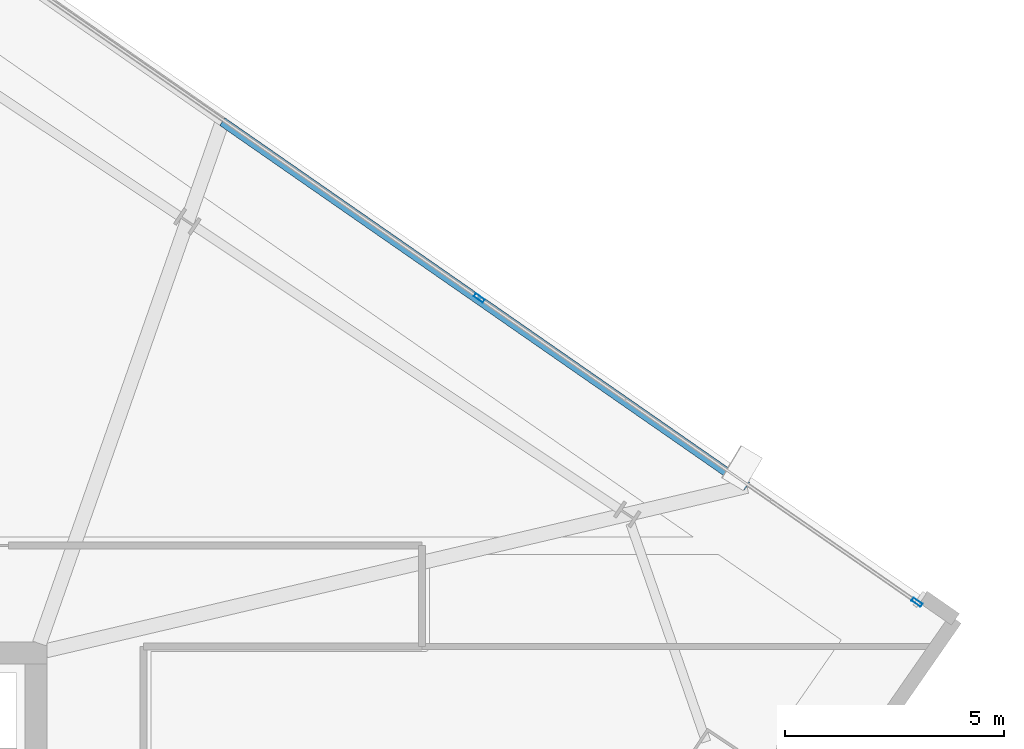
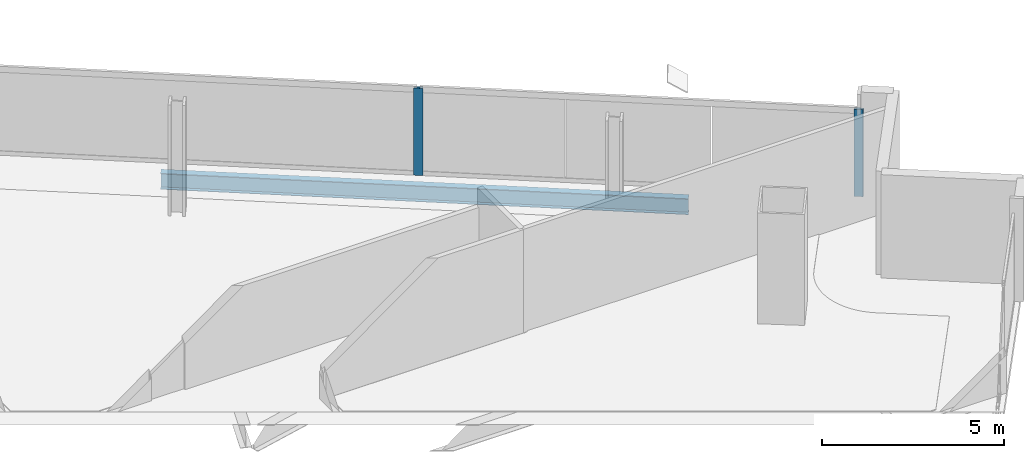
# One storey, part 19 of 30: 2 members, 1 beam, 1 element without a shape of its own.
"""IFC4 building model written with IfcOpenShell, lengths in metres."""

import ifcopenshell
import ifcopenshell.guid

model = None  # the IFC model being written
_history = None  # IfcOwnerHistory: only IFC2X3 demands one
_inside = {}  # id of a spatial element -> (the spatial element, [elements in it])
_under = {}  # id of a project, library or spatial element -> (it, [spatial elements below it])
_declared = {}  # id of a project -> (the project, [libraries it declares])
_typed = {}  # id of a type object -> (the type object, [elements of that type])
_made_of = {}  # id of a material, layer set ... -> (it, [elements and type objects made of it])


def new_model(schema):
    """Start an empty IFC model of exactly this schema.

    Asked for "IFC4X3", IfcOpenShell would pick the latest addendum, in which some entities
    have other attributes; the version numbers below select the first issue.
    IFC2X3 requires an IfcOwnerHistory on every rooted entity: one is made here for all.
    """
    global model, _history
    if schema == "IFC4X3":
        model = ifcopenshell.file(schema_version=(4, 3, 0, 0))
    else:
        model = ifcopenshell.file(schema=schema)
    _inside.clear()
    _under.clear()
    _declared.clear()
    _typed.clear()
    _made_of.clear()
    _history = None
    if model.schema == "IFC2X3":
        org = make("IfcOrganization", Name="unknown")
        user = make(
            "IfcPersonAndOrganization",
            ThePerson=make("IfcPerson", FamilyName="unknown"),
            TheOrganization=org,
        )
        app = make(
            "IfcApplication",
            ApplicationDeveloper=org,
            Version="unknown",
            ApplicationFullName="unknown",
            ApplicationIdentifier="unknown",
        )
        _history = make(
            "IfcOwnerHistory",
            OwningUser=user,
            OwningApplication=app,
            ChangeAction="ADDED",
            CreationDate=0,
        )
    return model


def make(cls, **values):
    """One entity of the class cls with the attributes given. An attribute that is None is left unset."""
    return model.create_entity(
        cls, **{name: value for name, value in values.items() if value is not None}
    )


def rooted(cls, **values):
    """An entity with a GlobalId (a new one), such as an element, a storey or a relation."""
    return make(cls, GlobalId=ifcopenshell.guid.new(), OwnerHistory=_history, **values)


def si_unit(unit_type, name, prefix=None):
    """IfcSIUnit, for example si_unit("LENGTHUNIT", "METRE", prefix="MILLI")."""
    return make("IfcSIUnit", UnitType=unit_type, Prefix=prefix, Name=name)


def assignment(units):
    """IfcUnitAssignment: the units of a project."""
    return None if units is None else make("IfcUnitAssignment", Units=units)


def point(xyz):
    """IfcCartesianPoint."""
    return None if xyz is None else make("IfcCartesianPoint", Coordinates=xyz)


def direction(xyz):
    """IfcDirection."""
    return None if xyz is None else make("IfcDirection", DirectionRatios=xyz)


def frame(location, z_axis=None, x_axis=None):
    """IfcAxis2Placement3D, a coordinate frame: its origin and axes. An axis left out is left unset."""
    return make(
        "IfcAxis2Placement3D",
        Location=point(location),
        Axis=direction(z_axis),
        RefDirection=direction(x_axis),
    )


def frame_2d(location, x_axis=None):
    """IfcAxis2Placement2D, a coordinate frame in the plane: its origin and x axis."""
    return make(
        "IfcAxis2Placement2D", Location=point(location), RefDirection=direction(x_axis)
    )


def origin():
    """The frame at (0, 0, 0) with its axes left unset."""
    return frame((0.0, 0.0, 0.0))


def origin_2d():
    """The frame at (0, 0) in the plane with its x axis left unset."""
    return frame_2d((0.0, 0.0))


def place(relative_to, where):
    """IfcLocalPlacement: puts the frame where relative to a parent placement (None: the world)."""
    return make(
        "IfcLocalPlacement", PlacementRelTo=relative_to, RelativePlacement=where
    )


def context(
    kind, dimensions, precision=None, world=None, true_north=None, identifier=None
):
    """IfcGeometricRepresentationContext, for example the 3D "Model" context."""
    return make(
        "IfcGeometricRepresentationContext",
        ContextIdentifier=identifier,
        ContextType=kind,
        CoordinateSpaceDimension=dimensions,
        Precision=precision,
        WorldCoordinateSystem=world,
        TrueNorth=true_north,
    )


def subcontext(parent, identifier, kind, view, scale=None):
    """IfcGeometricRepresentationSubContext, for example "Body" below "Model"."""
    return make(
        "IfcGeometricRepresentationSubContext",
        ContextIdentifier=identifier,
        ContextType=kind,
        ParentContext=parent,
        TargetScale=scale,
        TargetView=view,
    )


def project(units=None, contexts=None):
    """IfcProject with its units and contexts."""
    return rooted(
        "IfcProject",
        Name="project",
        RepresentationContexts=contexts,
        UnitsInContext=assignment(units),
    )


def spatial(cls, under=None, at=None, **own):
    """A site, building, storey or space (cls), placed at a placement, below another one or the project."""
    s = rooted(cls, ObjectPlacement=at, **own)
    if under is not None:
        _under.setdefault(under.id(), (under, []))[1].append(s)
    return s


def profile(cls, at=None, kind="AREA", **sizes):
    """A parametric profile (cls). Its sizes go by their IFC names, for example OverallWidth=200.0."""
    return make(cls, ProfileType=kind, Position=at, **sizes)


def hollow_rectangle(**sizes):
    """IfcRectangleHollowProfileDef."""
    return profile("IfcRectangleHollowProfileDef", **sizes)


def i_section(**sizes):
    """IfcIShapeProfileDef."""
    return profile("IfcIShapeProfileDef", **sizes)


def extrude(swept, where, along, depth):
    """IfcExtrudedAreaSolid: the profile swept, set in the frame where, extruded along a direction by depth."""
    return make(
        "IfcExtrudedAreaSolid",
        SweptArea=swept,
        Position=where,
        ExtrudedDirection=direction(along),
        Depth=depth,
    )


def shape(context_of_items, identifier, shape_type, items):
    """IfcShapeRepresentation: the items that make up one representation, for example the "Body"."""
    return make(
        "IfcShapeRepresentation",
        ContextOfItems=context_of_items,
        RepresentationIdentifier=identifier,
        RepresentationType=shape_type,
        Items=items,
    )


def material(Name=None, Category=None):
    """IfcMaterial."""
    return make("IfcMaterial", Name=Name, Category=Category)


def material_profile(
    of_material, cross_section, Name=None, Category=None, Priority=None
):
    """IfcMaterialProfile: a cross section and its material."""
    return make(
        "IfcMaterialProfile",
        Name=Name,
        Material=of_material,
        Profile=cross_section,
        Priority=Priority,
        Category=Category,
    )


def profile_set(profiles, Name=None, composite=None):
    """IfcMaterialProfileSet."""
    return make(
        "IfcMaterialProfileSet",
        Name=Name,
        MaterialProfiles=profiles,
        CompositeProfile=composite,
    )


def made_of(thing, what):
    """Note that an element or type object is made of a material, layer set ...; save() writes the relation."""
    if what is not None:
        _made_of.setdefault(what.id(), (what, []))[1].append(thing)
    return thing


def type_object(cls, material=None, **own):
    """A type object (cls), such as IfcWallType, which elements share."""
    return made_of(rooted(cls, **own), material)


def element(
    cls,
    number,
    at=None,
    inside=None,
    cuts=None,
    type_object=None,
    material=None,
    context=None,
    identifier="Body",
    shape_type=None,
    held_by="IfcProductDefinitionShape",
    body=None,
    shapes=None,
    **own,
):
    """One element of the class cls, such as IfcWall. Its Tag is "e" and its number.

    at: its placement. inside: the storey or other place that contains it. cuts: it is an
    opening in that element (IfcRelVoidsElement). A single representation is given by context,
    identifier, shape_type and body (its items); several are given by shapes. held_by: the class
    of the entity that holds the representations. save() writes the other relations.
    """
    e = rooted(cls, Tag="e%d" % number, ObjectPlacement=at, **own)
    if body is not None:
        shapes = [shape(context, identifier, shape_type, body)]
    if shapes is not None:
        e.Representation = make(held_by, Representations=shapes)
    if inside is not None:
        _inside.setdefault(inside.id(), (inside, []))[1].append(e)
    if cuts is not None:
        rooted(
            "IfcRelVoidsElement", RelatingBuildingElement=cuts, RelatedOpeningElement=e
        )
    if type_object is not None:
        _typed.setdefault(type_object.id(), (type_object, []))[1].append(e)
    return made_of(e, material)


def aggregate(whole, parts):
    """IfcRelAggregates: a whole, such as a stair, and the parts it consists of."""
    return rooted("IfcRelAggregates", RelatingObject=whole, RelatedObjects=parts)


def save(model, path):
    """Write the relations noted so far, then the file.

    IfcRelAggregates (storeys below a building ...), IfcRelContainedInSpatialStructure (elements
    in a storey), IfcRelDefinesByType, IfcRelAssociatesMaterial and IfcRelDeclares: one each for
    every whole, place, type object, material and project.
    """
    for whole, parts in _under.values():
        aggregate(whole, parts)
    for where, things in _inside.values():
        rooted(
            "IfcRelContainedInSpatialStructure",
            RelatedElements=things,
            RelatingStructure=where,
        )
    for kind, things in _typed.values():
        rooted("IfcRelDefinesByType", RelatedObjects=things, RelatingType=kind)
    for what, things in _made_of.values():
        rooted("IfcRelAssociatesMaterial", RelatedObjects=things, RelatingMaterial=what)
    for by, libraries in _declared.values():
        rooted("IfcRelDeclares", RelatingContext=by, RelatedDefinitions=libraries)
    model.write(path)


model = new_model("IFC4")

# Units and contexts
model_context = context("Model", 3, precision=1e-05, world=origin(), true_north=direction((0.0, 1.0)))
body_context = subcontext(model_context, "Body", "Model", "MODEL_VIEW")
ifc_project = project(units=[si_unit("LENGTHUNIT", "METRE"), si_unit("AREAUNIT", "SQUARE_METRE"), si_unit("VOLUMEUNIT", "CUBIC_METRE"), si_unit("PLANEANGLEUNIT", "RADIAN"), si_unit("MASSUNIT", "GRAM", prefix="KILO")], contexts=[model_context])

# Site, building, storey
site_placement = place(None, origin())
site = spatial("IfcSite", under=ifc_project, at=site_placement, CompositionType="ELEMENT")
building_placement = place(site_placement, origin())
building = spatial("IfcBuilding", under=site, at=building_placement, Name="Haldenkirk Collegiate Tower", CompositionType="ELEMENT")
storey_placement = place(building_placement, frame((0.0, 0.0, 213.449951171875)))
storey = spatial("IfcBuildingStorey", under=building, at=storey_placement, Name="L53", CompositionType="ELEMENT", Elevation=213.449951171875)

# Beam
ifc_material_1 = material(Name="Steel ASTM A992 Grade 50", Category="steel")
ifc_material_profile_1 = material_profile(ifc_material_1, i_section(OverallWidth=0.2099609375, OverallDepth=0.537109375, WebThickness=0.010986328125, FlangeThickness=0.017333984375, at=origin_2d()), Name="W21X68")
ifc_profile_set_1 = profile_set([ifc_material_profile_1], Name="Steel ASTM A992 Grade 50")
beam_type = type_object("IfcBeamType", Name="BM-SPANDREL-W21X68", PredefinedType="SPANDREL", material=ifc_profile_set_1)
beam_placement = place(storey_placement, frame((61.20947265625, 37.8037109375, -0.54833984375), z_axis=(-0.821149658925, 0.570712920519, 0.0), x_axis=(-0.570712920519, -0.821149658925, 0.0)))
element("IfcBeam", 1, at=beam_placement, inside=storey, type_object=beam_type, Name="L53 outer facade edge beam 2A", PredefinedType="SPANDREL", context=body_context, shape_type="SweptSolid", body=[
    extrude(i_section(OverallWidth=0.2099609375, OverallDepth=0.537109375, WebThickness=0.010986328125, FlangeThickness=0.017333984375, at=origin_2d()), origin(), (0.0, 0.0, 1.0), 14.5703125),
])

# Curtain wall, members
ifc_material_2 = material(Name="Anodised architectural bronze aluminium", Category="aluminium")
curtain_wall_type = type_object("IfcCurtainWallType", Name="CW-SYS1B-CONVEX-HI", PredefinedType="USERDEFINED", material=ifc_material_2)
curtain_wall_placement = place(storey_placement, origin())
curtain_wall = element("IfcCurtainWall", 2, at=curtain_wall_placement, inside=storey, type_object=curtain_wall_type, Name="L53 Upper tower high-wind convex bronze unitised curtain wall", ObjectType="UNITISED CURTAIN WALL", PredefinedType="USERDEFINED")
ifc_material_profile_2 = material_profile(ifc_material_2, hollow_rectangle(XDim=0.0849609375, YDim=0.25, WallThickness=0.0048828125, at=origin_2d()), Name="CW-MUL-1B")
ifc_profile_set_2 = profile_set([ifc_material_profile_2], Name="Anodised architectural bronze aluminium")
member_type = type_object("IfcMemberType", Name="CW-MUL-1B", PredefinedType="MULLION", material=ifc_profile_set_2)
member_1_placement = place(storey_placement, frame((55.10302734375, 42.096435546875, 0.0), z_axis=(0.0, 0.0, 1.0), x_axis=(0.570713325478, 0.821149377472, 0.0)))
member_1 = element("IfcMember", 3, at=member_1_placement, type_object=member_type, Name="CW-1B mullion 3", PredefinedType="MULLION", context=body_context, shape_type="SweptSolid", body=[
    extrude(hollow_rectangle(XDim=0.0849609375, YDim=0.25, WallThickness=0.0048828125, at=origin_2d()), origin(), (0.0, 0.0, 1.0), 2.927978515625),
])
member_2_placement = place(storey_placement, frame((65.086181640625, 35.157958984375, 0.0), z_axis=(0.0, 0.0, 1.0), x_axis=(0.570713325478, 0.821149377472, 0.0)))
member_2 = element("IfcMember", 4, at=member_2_placement, type_object=member_type, Name="CW-1B mullion 4", PredefinedType="MULLION", context=body_context, shape_type="SweptSolid", body=[
    extrude(hollow_rectangle(XDim=0.0849609375, YDim=0.25, WallThickness=0.0048828125, at=origin_2d()), origin(), (0.0, 0.0, 1.0), 2.927978515625),
])
aggregate(curtain_wall, [member_1, member_2])

save(model, "model.ifc")
